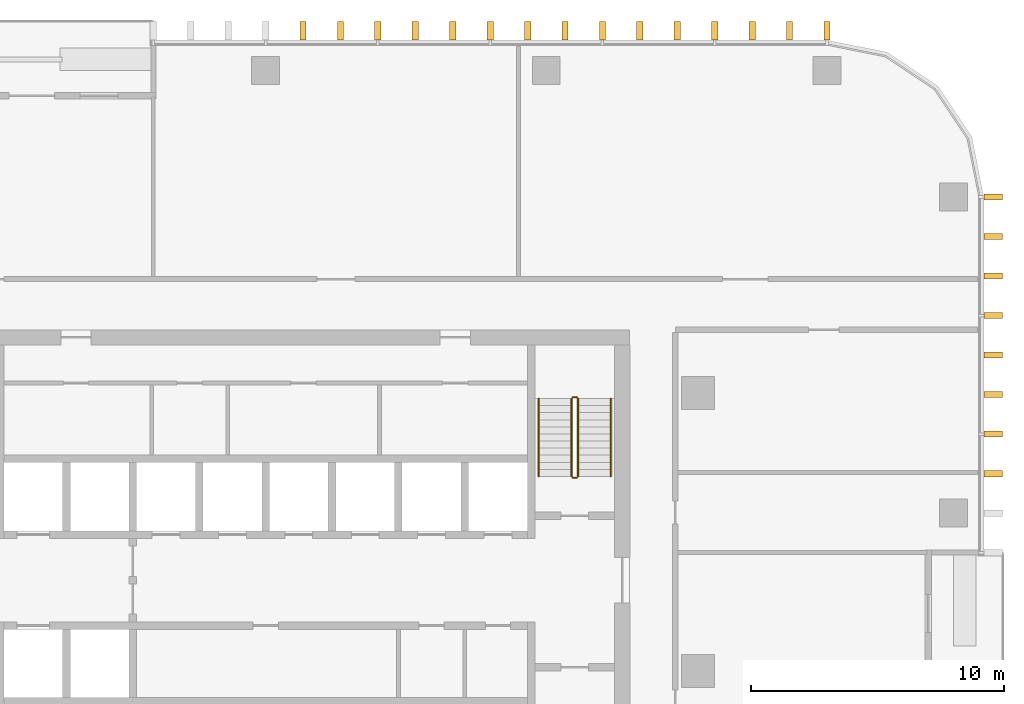
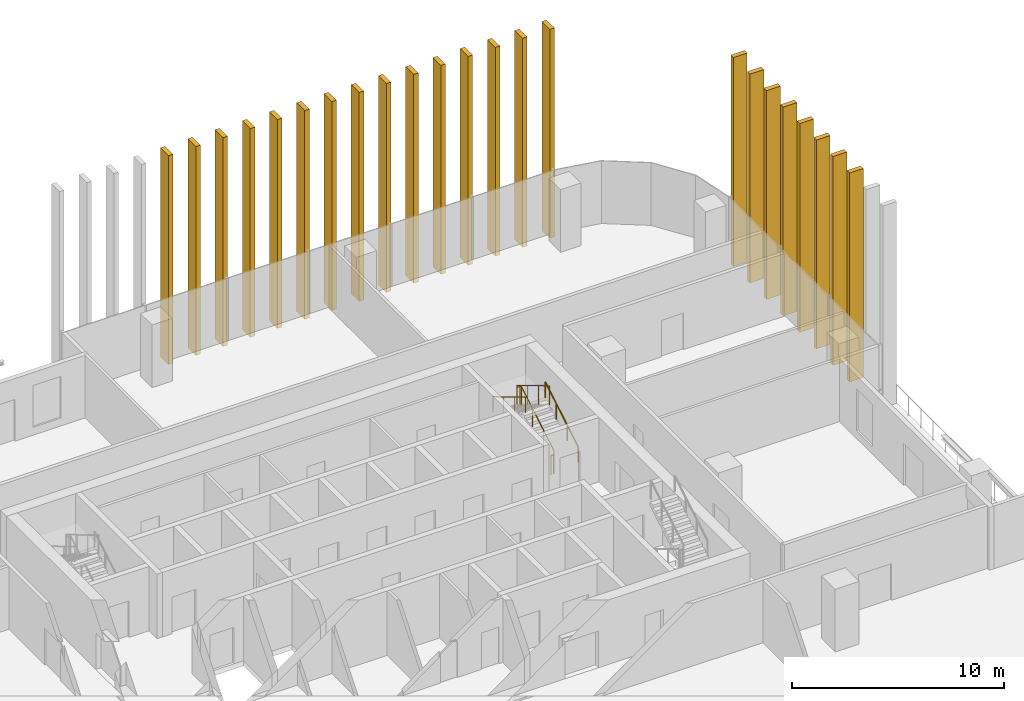
# One storey, part 15 of 15: 23 shading devices, 5 railings.
"""IFC4 building model written with IfcOpenShell, lengths in metres."""

import ifcopenshell
import ifcopenshell.guid

model = None  # the IFC model being written
_history = None  # IfcOwnerHistory: only IFC2X3 demands one
_inside = {}  # id of a spatial element -> (the spatial element, [elements in it])
_under = {}  # id of a project, library or spatial element -> (it, [spatial elements below it])
_declared = {}  # id of a project -> (the project, [libraries it declares])
_typed = {}  # id of a type object -> (the type object, [elements of that type])
_made_of = {}  # id of a material, layer set ... -> (it, [elements and type objects made of it])


def new_model(schema):
    """Start an empty IFC model of exactly this schema.

    Asked for "IFC4X3", IfcOpenShell would pick the latest addendum, in which some entities
    have other attributes; the version numbers below select the first issue.
    IFC2X3 requires an IfcOwnerHistory on every rooted entity: one is made here for all.
    """
    global model, _history
    if schema == "IFC4X3":
        model = ifcopenshell.file(schema_version=(4, 3, 0, 0))
    else:
        model = ifcopenshell.file(schema=schema)
    _inside.clear()
    _under.clear()
    _declared.clear()
    _typed.clear()
    _made_of.clear()
    _history = None
    if model.schema == "IFC2X3":
        org = make("IfcOrganization", Name="unknown")
        user = make(
            "IfcPersonAndOrganization",
            ThePerson=make("IfcPerson", FamilyName="unknown"),
            TheOrganization=org,
        )
        app = make(
            "IfcApplication",
            ApplicationDeveloper=org,
            Version="unknown",
            ApplicationFullName="unknown",
            ApplicationIdentifier="unknown",
        )
        _history = make(
            "IfcOwnerHistory",
            OwningUser=user,
            OwningApplication=app,
            ChangeAction="ADDED",
            CreationDate=0,
        )
    return model


def make(cls, **values):
    """One entity of the class cls with the attributes given. An attribute that is None is left unset."""
    return model.create_entity(
        cls, **{name: value for name, value in values.items() if value is not None}
    )


def rooted(cls, **values):
    """An entity with a GlobalId (a new one), such as an element, a storey or a relation."""
    return make(cls, GlobalId=ifcopenshell.guid.new(), OwnerHistory=_history, **values)


def si_unit(unit_type, name, prefix=None):
    """IfcSIUnit, for example si_unit("LENGTHUNIT", "METRE", prefix="MILLI")."""
    return make("IfcSIUnit", UnitType=unit_type, Prefix=prefix, Name=name)


def assignment(units):
    """IfcUnitAssignment: the units of a project."""
    return None if units is None else make("IfcUnitAssignment", Units=units)


def point(xyz):
    """IfcCartesianPoint."""
    return None if xyz is None else make("IfcCartesianPoint", Coordinates=xyz)


def direction(xyz):
    """IfcDirection."""
    return None if xyz is None else make("IfcDirection", DirectionRatios=xyz)


def frame(location, z_axis=None, x_axis=None):
    """IfcAxis2Placement3D, a coordinate frame: its origin and axes. An axis left out is left unset."""
    return make(
        "IfcAxis2Placement3D",
        Location=point(location),
        Axis=direction(z_axis),
        RefDirection=direction(x_axis),
    )


def frame_2d(location, x_axis=None):
    """IfcAxis2Placement2D, a coordinate frame in the plane: its origin and x axis."""
    return make(
        "IfcAxis2Placement2D", Location=point(location), RefDirection=direction(x_axis)
    )


def origin():
    """The frame at (0, 0, 0) with its axes left unset."""
    return frame((0.0, 0.0, 0.0))


def origin_2d():
    """The frame at (0, 0) in the plane with its x axis left unset."""
    return frame_2d((0.0, 0.0))


def place(relative_to, where):
    """IfcLocalPlacement: puts the frame where relative to a parent placement (None: the world)."""
    return make(
        "IfcLocalPlacement", PlacementRelTo=relative_to, RelativePlacement=where
    )


def context(
    kind, dimensions, precision=None, world=None, true_north=None, identifier=None
):
    """IfcGeometricRepresentationContext, for example the 3D "Model" context."""
    return make(
        "IfcGeometricRepresentationContext",
        ContextIdentifier=identifier,
        ContextType=kind,
        CoordinateSpaceDimension=dimensions,
        Precision=precision,
        WorldCoordinateSystem=world,
        TrueNorth=true_north,
    )


def subcontext(parent, identifier, kind, view, scale=None):
    """IfcGeometricRepresentationSubContext, for example "Body" below "Model"."""
    return make(
        "IfcGeometricRepresentationSubContext",
        ContextIdentifier=identifier,
        ContextType=kind,
        ParentContext=parent,
        TargetScale=scale,
        TargetView=view,
    )


def project(units=None, contexts=None):
    """IfcProject with its units and contexts."""
    return rooted(
        "IfcProject",
        Name="project",
        RepresentationContexts=contexts,
        UnitsInContext=assignment(units),
    )


def spatial(cls, under=None, at=None, **own):
    """A site, building, storey or space (cls), placed at a placement, below another one or the project."""
    s = rooted(cls, ObjectPlacement=at, **own)
    if under is not None:
        _under.setdefault(under.id(), (under, []))[1].append(s)
    return s


def profile(cls, at=None, kind="AREA", **sizes):
    """A parametric profile (cls). Its sizes go by their IFC names, for example OverallWidth=200.0."""
    return make(cls, ProfileType=kind, Position=at, **sizes)


def rectangle(**sizes):
    """IfcRectangleProfileDef."""
    return profile("IfcRectangleProfileDef", **sizes)


def circle(**sizes):
    """IfcCircleProfileDef."""
    return profile("IfcCircleProfileDef", **sizes)


def extrude(swept, where, along, depth):
    """IfcExtrudedAreaSolid: the profile swept, set in the frame where, extruded along a direction by depth."""
    return make(
        "IfcExtrudedAreaSolid",
        SweptArea=swept,
        Position=where,
        ExtrudedDirection=direction(along),
        Depth=depth,
    )


def shape(context_of_items, identifier, shape_type, items):
    """IfcShapeRepresentation: the items that make up one representation, for example the "Body"."""
    return make(
        "IfcShapeRepresentation",
        ContextOfItems=context_of_items,
        RepresentationIdentifier=identifier,
        RepresentationType=shape_type,
        Items=items,
    )


def material(Name=None, Category=None):
    """IfcMaterial."""
    return make("IfcMaterial", Name=Name, Category=Category)


def made_of(thing, what):
    """Note that an element or type object is made of a material, layer set ...; save() writes the relation."""
    if what is not None:
        _made_of.setdefault(what.id(), (what, []))[1].append(thing)
    return thing


def type_object(cls, material=None, **own):
    """A type object (cls), such as IfcWallType, which elements share."""
    return made_of(rooted(cls, **own), material)


def element(
    cls,
    number,
    at=None,
    inside=None,
    cuts=None,
    type_object=None,
    material=None,
    context=None,
    identifier="Body",
    shape_type=None,
    held_by="IfcProductDefinitionShape",
    body=None,
    shapes=None,
    **own,
):
    """One element of the class cls, such as IfcWall. Its Tag is "e" and its number.

    at: its placement. inside: the storey or other place that contains it. cuts: it is an
    opening in that element (IfcRelVoidsElement). A single representation is given by context,
    identifier, shape_type and body (its items); several are given by shapes. held_by: the class
    of the entity that holds the representations. save() writes the other relations.
    """
    e = rooted(cls, Tag="e%d" % number, ObjectPlacement=at, **own)
    if body is not None:
        shapes = [shape(context, identifier, shape_type, body)]
    if shapes is not None:
        e.Representation = make(held_by, Representations=shapes)
    if inside is not None:
        _inside.setdefault(inside.id(), (inside, []))[1].append(e)
    if cuts is not None:
        rooted(
            "IfcRelVoidsElement", RelatingBuildingElement=cuts, RelatedOpeningElement=e
        )
    if type_object is not None:
        _typed.setdefault(type_object.id(), (type_object, []))[1].append(e)
    return made_of(e, material)


def aggregate(whole, parts):
    """IfcRelAggregates: a whole, such as a stair, and the parts it consists of."""
    return rooted("IfcRelAggregates", RelatingObject=whole, RelatedObjects=parts)


def save(model, path):
    """Write the relations noted so far, then the file.

    IfcRelAggregates (storeys below a building ...), IfcRelContainedInSpatialStructure (elements
    in a storey), IfcRelDefinesByType, IfcRelAssociatesMaterial and IfcRelDeclares: one each for
    every whole, place, type object, material and project.
    """
    for whole, parts in _under.values():
        aggregate(whole, parts)
    for where, things in _inside.values():
        rooted(
            "IfcRelContainedInSpatialStructure",
            RelatedElements=things,
            RelatingStructure=where,
        )
    for kind, things in _typed.values():
        rooted("IfcRelDefinesByType", RelatedObjects=things, RelatingType=kind)
    for what, things in _made_of.values():
        rooted("IfcRelAssociatesMaterial", RelatedObjects=things, RelatingMaterial=what)
    for by, libraries in _declared.values():
        rooted("IfcRelDeclares", RelatingContext=by, RelatedDefinitions=libraries)
    model.write(path)


model = new_model("IFC4")

# Units and contexts
model_context = context("Model", 3, precision=1e-05, world=origin(), true_north=direction((0.0, 1.0)))
body_context = subcontext(model_context, "Body", "Model", "MODEL_VIEW")
ifc_project = project(units=[si_unit("LENGTHUNIT", "METRE"), si_unit("AREAUNIT", "SQUARE_METRE"), si_unit("VOLUMEUNIT", "CUBIC_METRE"), si_unit("PLANEANGLEUNIT", "RADIAN"), si_unit("MASSUNIT", "GRAM", prefix="KILO")], contexts=[model_context])

# Site, building, storey
site_placement = place(None, origin())
site = spatial("IfcSite", under=ifc_project, at=site_placement, CompositionType="ELEMENT")
building_placement = place(site_placement, origin())
building = spatial("IfcBuilding", under=site, at=building_placement, Name="Mopane Tessera Tower", CompositionType="ELEMENT")
storey_placement = place(building_placement, frame((0.0, 0.0, 223.0)))
storey = spatial("IfcBuildingStorey", under=building, at=storey_placement, Name="L47", CompositionType="ELEMENT", Elevation=223.0)

# Shading devices
ifc_material_1 = material(Name="Glazed ceramic tile")
shading_device_type = type_object("IfcShadingDeviceType", Name="Ceramic tile fin 750 x 250 mm", PredefinedType="USERDEFINED", material=ifc_material_1)
for number, where, z_axis, x_axis, name in (
    (1, (28.77490234375, 7.8125, -0.39990234375), (0.0, 0.0, 1.0), (0.0, 1.0, 0.0), "e:fin:L47:E:5:2"),
    (2, (28.77490234375, 9.375, -0.39990234375), (0.0, 0.0, 1.0), (0.0, 1.0, 0.0), "e:fin:L47:E:6:0"),
    (3, (28.77490234375, 10.9375, -0.39990234375), (0.0, 0.0, 1.0), (0.0, 1.0, 0.0), "e:fin:L47:E:6:1"),
    (4, (28.77490234375, 12.5, -0.39990234375), (0.0, 0.0, 1.0), (0.0, 1.0, 0.0), "e:fin:L47:E:6:2"),
    (5, (28.77490234375, 14.0625, -0.39990234375), (0.0, 0.0, 1.0), (0.0, 1.0, 0.0), "e:fin:L47:E:7:0"),
    (6, (28.77490234375, 15.625, -0.39990234375), (0.0, 0.0, 1.0), (0.0, 1.0, 0.0), "e:fin:L47:E:7:1"),
    (7, (28.77490234375, 17.1875, -0.39990234375), (0.0, 0.0, 1.0), (0.0, 1.0, 0.0), "e:fin:L47:E:7:2"),
    (8, (28.77490234375, 18.75, -0.39990234375), (0.0, 0.0, 1.0), (0.0, 1.0, 0.0), "e:fin:L47:E:7:3"),
    (9, (22.199951171875, 25.324951171875, -0.39990234375), (0.0, 0.0, 1.0), (-1.0, 0.0, 0.0), "e:fin:L47:N:0:0"),
    (10, (20.719970703125, 25.324951171875, -0.39990234375), (0.0, 0.0, 1.0), (-1.0, 0.0, 0.0), "e:fin:L47:N:0:1"),
    (11, (19.239990234375, 25.324951171875, -0.39990234375), (0.0, 0.0, 1.0), (-1.0, 0.0, 0.0), "e:fin:L47:N:0:2"),
    (12, (17.760009765625, 25.324951171875, -0.39990234375), (0.0, 0.0, 1.0), (-1.0, 0.0, 0.0), "e:fin:L47:N:1:0"),
    (13, (16.280029296875, 25.324951171875, -0.39990234375), (0.0, 0.0, 1.0), (-1.0, 0.0, 0.0), "e:fin:L47:N:1:1"),
    (14, (14.800048828125, 25.324951171875, -0.39990234375), (0.0, 0.0, 1.0), (-1.0, 0.0, 0.0), "e:fin:L47:N:1:2"),
    (15, (13.320068359375, 25.324951171875, -0.39990234375), (0.0, 0.0, 1.0), (-1.0, 0.0, 0.0), "e:fin:L47:N:2:0"),
    (16, (11.840087890625, 25.324951171875, -0.39990234375), (0.0, 0.0, 1.0), (-1.0, 0.0, 0.0), "e:fin:L47:N:2:1"),
    (17, (10.360107421875, 25.324951171875, -0.39990234375), (0.0, 0.0, 1.0), (-1.0, 0.0, 0.0), "e:fin:L47:N:2:2"),
    (18, (8.8798828125, 25.324951171875, -0.39990234375), (0.0, 0.0, 1.0), (-1.0, 0.0, 0.0), "e:fin:L47:N:3:0"),
    (19, (7.39990234375, 25.324951171875, -0.39990234375), (0.0, 0.0, 1.0), (-1.0, 0.0, 0.0), "e:fin:L47:N:3:1"),
    (20, (5.919921875, 25.324951171875, -0.39990234375), (0.0, 0.0, 1.0), (-1.0, 0.0, 0.0), "e:fin:L47:N:3:2"),
    (21, (4.43994140625, 25.324951171875, -0.39990234375), (0.0, 0.0, 1.0), (-1.0, 0.0, 0.0), "e:fin:L47:N:4:0"),
    (22, (2.9599609375, 25.324951171875, -0.39990234375), (0.0, 0.0, 1.0), (-1.0, 0.0, 0.0), "e:fin:L47:N:4:1"),
    (23, (1.47998046875, 25.324951171875, -0.39990234375), (0.0, 0.0, 1.0), (-1.0, 0.0, 0.0), "e:fin:L47:N:4:2"),
):
    element("IfcShadingDevice", number, at=place(storey_placement, frame(where, z_axis=z_axis, x_axis=x_axis)), inside=storey, type_object=shading_device_type, Name=name, ObjectType="FIN", PredefinedType="USERDEFINED", context=body_context, shape_type="SweptSolid", body=[
        extrude(rectangle(XDim=0.25, YDim=0.75, at=origin_2d()), origin(), (0.0, 0.0, 1.0), 12.0),
    ])

# Railings
ifc_material_2 = material(Name="Powder-coated steel balustrade", Category="steel")
railing_type_1 = type_object("IfcRailingType", Name="Escape stair guard 1100 mm", PredefinedType="GUARDRAIL", material=ifc_material_2)
railing_1_placement = place(storey_placement, frame((12.35009765625, 7.699951171875, 0.166748046875)))
element("IfcRailing", 24, at=railing_1_placement, inside=storey, type_object=railing_type_1, Name="L47 ST4 stair guard 1", PredefinedType="GUARDRAIL", context=body_context, shape_type="SweptSolid", body=[
    extrude(circle(Radius=0.02392578125, at=origin_2d()), frame((0.0, 0.0, 1.076171875), z_axis=(0.0, 0.859308565015, 0.511457515432), x_axis=(-1.0, 0.0, 0.0)), (0.0, 0.0, 1.0), 3.58447265625),
    extrude(circle(Radius=0.02392578125, at=origin_2d()), frame((0.0, 3.080078125, 2.9091796875), z_axis=(-0.707106781187, 0.707106781187, 0.0), x_axis=(-0.707106781187, -0.707106781187, 0.0)), (0.0, 0.0, 1.0), 0.07080078125),
    extrude(circle(Radius=0.02392578125, at=origin_2d()), frame((-0.050048828125, 3.130126953125, 2.9091796875), z_axis=(-1.0, 0.0, 0.0), x_axis=(0.0, -1.0, 0.0)), (0.0, 0.0, 1.0), 0.150146484375),
    extrude(circle(Radius=0.02099609375, at=origin_2d()), origin(), (0.0, 0.0, 1.0), 1.052001953125),
    extrude(circle(Radius=0.02099609375, at=origin_2d()), frame((0.0, 1.026611328125, 0.611083984375)), (0.0, 0.0, 1.0), 1.052001953125),
    extrude(circle(Radius=0.02099609375, at=origin_2d()), frame((0.0, 2.053466796875, 1.22216796875)), (0.0, 0.0, 1.0), 1.052001953125),
    extrude(circle(Radius=0.02099609375, at=origin_2d()), frame((0.0, 3.080078125, 1.833251953125)), (0.0, 0.0, 1.0), 1.052001953125),
    extrude(circle(Radius=0.02099609375, at=origin_2d()), frame((-0.050048828125, 3.130126953125, 1.833251953125)), (0.0, 0.0, 1.0), 1.052001953125),
    extrude(circle(Radius=0.02099609375, at=origin_2d()), frame((-0.2001953125, 3.130126953125, 1.833251953125)), (0.0, 0.0, 1.0), 1.052001953125),
])
railing_2_placement = place(storey_placement, frame((12.10009765625, 10.780029296875, 2.166748046875)))
element("IfcRailing", 25, at=railing_2_placement, inside=storey, type_object=railing_type_1, Name="L47 ST4 stair guard 2", PredefinedType="GUARDRAIL", context=body_context, shape_type="SweptSolid", body=[
    extrude(circle(Radius=0.02392578125, at=origin_2d()), frame((0.0, 0.0, 1.076171875), z_axis=(0.0, -0.859308565015, 0.511457515432), x_axis=(1.0, 0.0, 0.0)), (0.0, 0.0, 1.0), 3.58447265625),
    extrude(circle(Radius=0.02099609375, at=origin_2d()), origin(), (0.0, 0.0, 1.0), 1.052001953125),
    extrude(circle(Radius=0.02099609375, at=origin_2d()), frame((0.0, -1.026611328125, 0.611083984375)), (0.0, 0.0, 1.0), 1.052001953125),
    extrude(circle(Radius=0.02099609375, at=origin_2d()), frame((0.0, -2.053466796875, 1.22216796875)), (0.0, 0.0, 1.0), 1.052001953125),
    extrude(circle(Radius=0.02099609375, at=origin_2d()), frame((0.0, -3.080078125, 1.833251953125)), (0.0, 0.0, 1.0), 1.052001953125),
])
railing_3_placement = place(storey_placement, frame((12.300048828125, 7.64990234375, 0.0)))
element("IfcRailing", 26, at=railing_3_placement, inside=storey, type_object=railing_type_1, Name="L47 ST4 stair guard 3", PredefinedType="GUARDRAIL", context=body_context, shape_type="SweptSolid", body=[
    extrude(circle(Radius=0.02392578125, at=origin_2d()), frame((0.0, 0.0, 1.076171875), z_axis=(-1.0, 0.0, 0.0), x_axis=(0.0, -1.0, 0.0)), (0.0, 0.0, 1.0), 0.150146484375),
    extrude(circle(Radius=0.02099609375, at=origin_2d()), origin(), (0.0, 0.0, 1.0), 1.052001953125),
    extrude(circle(Radius=0.02099609375, at=origin_2d()), frame((-0.150146484375, 0.0, 0.0)), (0.0, 0.0, 1.0), 1.052001953125),
])
ifc_material_3 = material(Name="Powder-coated steel balustrade", Category="steel")
railing_type_2 = type_object("IfcRailingType", Name="Escape stair handrail 900 mm", PredefinedType="HANDRAIL", material=ifc_material_3)
railing_4_placement = place(storey_placement, frame((13.64990234375, 7.699951171875, 0.166748046875)))
element("IfcRailing", 27, at=railing_4_placement, inside=storey, type_object=railing_type_2, Name="L47 ST4 stair handrail 1", PredefinedType="HANDRAIL", context=body_context, shape_type="SweptSolid", body=[
    extrude(circle(Radius=0.02392578125, at=origin_2d()), frame((0.0, 0.0, 0.8759765625), z_axis=(0.0, 0.859308565015, 0.511457515432), x_axis=(-1.0, 0.0, 0.0)), (0.0, 0.0, 1.0), 3.58447265625),
    extrude(circle(Radius=0.02099609375, at=origin_2d()), origin(), (0.0, 0.0, 1.0), 0.851806640625),
    extrude(circle(Radius=0.02099609375, at=origin_2d()), frame((0.0, 1.026611328125, 0.611083984375)), (0.0, 0.0, 1.0), 0.851806640625),
    extrude(circle(Radius=0.02099609375, at=origin_2d()), frame((0.0, 2.053466796875, 1.22216796875)), (0.0, 0.0, 1.0), 0.851806640625),
    extrude(circle(Radius=0.02099609375, at=origin_2d()), frame((0.0, 3.080078125, 1.833251953125)), (0.0, 0.0, 1.0), 0.851806640625),
])
railing_5_placement = place(storey_placement, frame((10.800048828125, 10.780029296875, 2.166748046875)))
element("IfcRailing", 28, at=railing_5_placement, inside=storey, type_object=railing_type_2, Name="L47 ST4 stair handrail 2", PredefinedType="HANDRAIL", context=body_context, shape_type="SweptSolid", body=[
    extrude(circle(Radius=0.02392578125, at=origin_2d()), frame((0.0, 0.0, 0.8759765625), z_axis=(0.0, -0.859308565015, 0.511457515432), x_axis=(1.0, 0.0, 0.0)), (0.0, 0.0, 1.0), 3.58447265625),
    extrude(circle(Radius=0.02099609375, at=origin_2d()), origin(), (0.0, 0.0, 1.0), 0.851806640625),
    extrude(circle(Radius=0.02099609375, at=origin_2d()), frame((0.0, -1.026611328125, 0.611083984375)), (0.0, 0.0, 1.0), 0.851806640625),
    extrude(circle(Radius=0.02099609375, at=origin_2d()), frame((0.0, -2.053466796875, 1.22216796875)), (0.0, 0.0, 1.0), 0.851806640625),
    extrude(circle(Radius=0.02099609375, at=origin_2d()), frame((0.0, -3.080078125, 1.833251953125)), (0.0, 0.0, 1.0), 0.851806640625),
])

save(model, "model.ifc")
